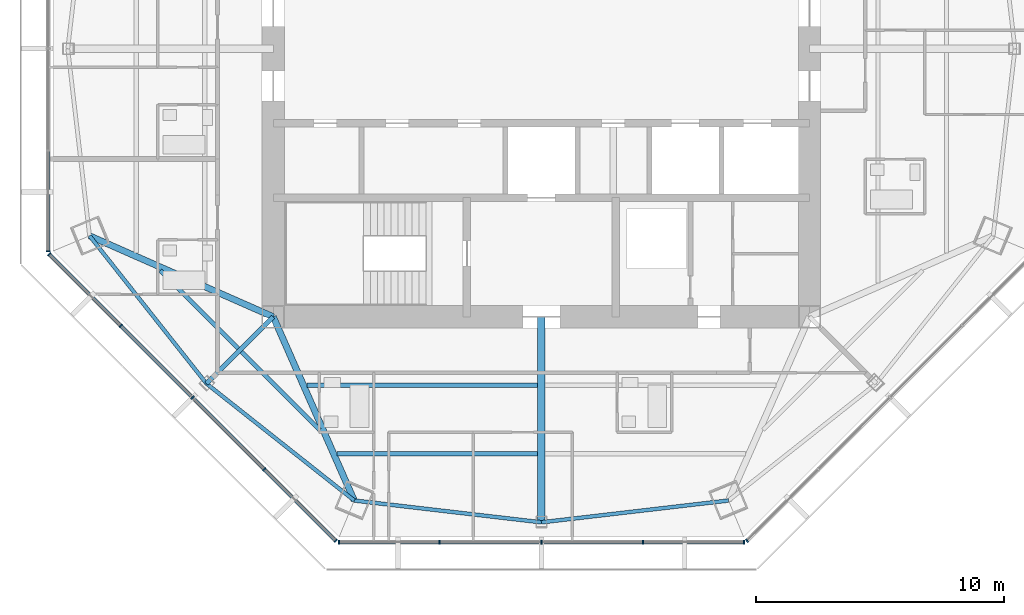
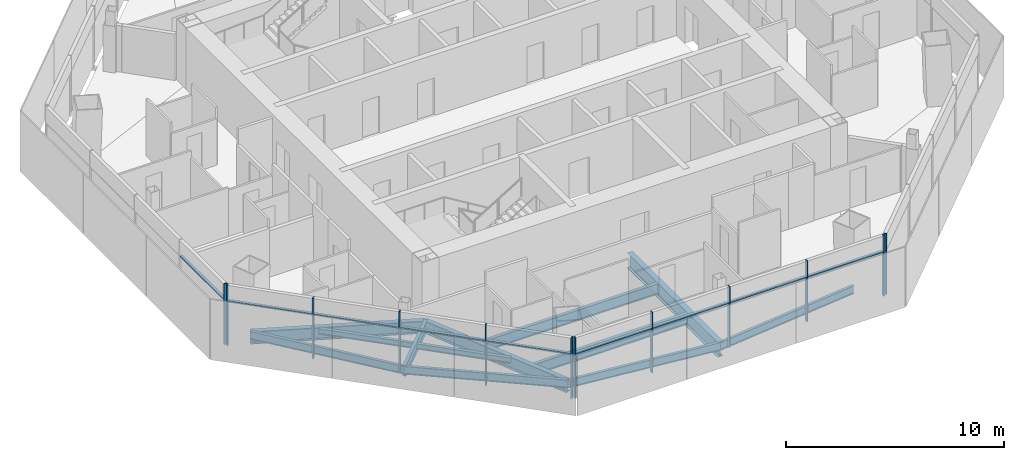
# One storey, part 2 of 14: 21 members, 12 beams, 4 elements without a shape of their own.
"""IFC4 building model written with IfcOpenShell, lengths in metres."""

import ifcopenshell
import ifcopenshell.guid

model = None  # the IFC model being written
_history = None  # IfcOwnerHistory: only IFC2X3 demands one
_inside = {}  # id of a spatial element -> (the spatial element, [elements in it])
_under = {}  # id of a project, library or spatial element -> (it, [spatial elements below it])
_declared = {}  # id of a project -> (the project, [libraries it declares])
_typed = {}  # id of a type object -> (the type object, [elements of that type])
_made_of = {}  # id of a material, layer set ... -> (it, [elements and type objects made of it])


def new_model(schema):
    """Start an empty IFC model of exactly this schema.

    Asked for "IFC4X3", IfcOpenShell would pick the latest addendum, in which some entities
    have other attributes; the version numbers below select the first issue.
    IFC2X3 requires an IfcOwnerHistory on every rooted entity: one is made here for all.
    """
    global model, _history
    if schema == "IFC4X3":
        model = ifcopenshell.file(schema_version=(4, 3, 0, 0))
    else:
        model = ifcopenshell.file(schema=schema)
    _inside.clear()
    _under.clear()
    _declared.clear()
    _typed.clear()
    _made_of.clear()
    _history = None
    if model.schema == "IFC2X3":
        org = make("IfcOrganization", Name="unknown")
        user = make(
            "IfcPersonAndOrganization",
            ThePerson=make("IfcPerson", FamilyName="unknown"),
            TheOrganization=org,
        )
        app = make(
            "IfcApplication",
            ApplicationDeveloper=org,
            Version="unknown",
            ApplicationFullName="unknown",
            ApplicationIdentifier="unknown",
        )
        _history = make(
            "IfcOwnerHistory",
            OwningUser=user,
            OwningApplication=app,
            ChangeAction="ADDED",
            CreationDate=0,
        )
    return model


def make(cls, **values):
    """One entity of the class cls with the attributes given. An attribute that is None is left unset."""
    return model.create_entity(
        cls, **{name: value for name, value in values.items() if value is not None}
    )


def rooted(cls, **values):
    """An entity with a GlobalId (a new one), such as an element, a storey or a relation."""
    return make(cls, GlobalId=ifcopenshell.guid.new(), OwnerHistory=_history, **values)


def si_unit(unit_type, name, prefix=None):
    """IfcSIUnit, for example si_unit("LENGTHUNIT", "METRE", prefix="MILLI")."""
    return make("IfcSIUnit", UnitType=unit_type, Prefix=prefix, Name=name)


def assignment(units):
    """IfcUnitAssignment: the units of a project."""
    return None if units is None else make("IfcUnitAssignment", Units=units)


def point(xyz):
    """IfcCartesianPoint."""
    return None if xyz is None else make("IfcCartesianPoint", Coordinates=xyz)


def direction(xyz):
    """IfcDirection."""
    return None if xyz is None else make("IfcDirection", DirectionRatios=xyz)


def frame(location, z_axis=None, x_axis=None):
    """IfcAxis2Placement3D, a coordinate frame: its origin and axes. An axis left out is left unset."""
    return make(
        "IfcAxis2Placement3D",
        Location=point(location),
        Axis=direction(z_axis),
        RefDirection=direction(x_axis),
    )


def frame_2d(location, x_axis=None):
    """IfcAxis2Placement2D, a coordinate frame in the plane: its origin and x axis."""
    return make(
        "IfcAxis2Placement2D", Location=point(location), RefDirection=direction(x_axis)
    )


def origin():
    """The frame at (0, 0, 0) with its axes left unset."""
    return frame((0.0, 0.0, 0.0))


def origin_2d():
    """The frame at (0, 0) in the plane with its x axis left unset."""
    return frame_2d((0.0, 0.0))


def place(relative_to, where):
    """IfcLocalPlacement: puts the frame where relative to a parent placement (None: the world)."""
    return make(
        "IfcLocalPlacement", PlacementRelTo=relative_to, RelativePlacement=where
    )


def context(
    kind, dimensions, precision=None, world=None, true_north=None, identifier=None
):
    """IfcGeometricRepresentationContext, for example the 3D "Model" context."""
    return make(
        "IfcGeometricRepresentationContext",
        ContextIdentifier=identifier,
        ContextType=kind,
        CoordinateSpaceDimension=dimensions,
        Precision=precision,
        WorldCoordinateSystem=world,
        TrueNorth=true_north,
    )


def subcontext(parent, identifier, kind, view, scale=None):
    """IfcGeometricRepresentationSubContext, for example "Body" below "Model"."""
    return make(
        "IfcGeometricRepresentationSubContext",
        ContextIdentifier=identifier,
        ContextType=kind,
        ParentContext=parent,
        TargetScale=scale,
        TargetView=view,
    )


def project(units=None, contexts=None):
    """IfcProject with its units and contexts."""
    return rooted(
        "IfcProject",
        Name="project",
        RepresentationContexts=contexts,
        UnitsInContext=assignment(units),
    )


def spatial(cls, under=None, at=None, **own):
    """A site, building, storey or space (cls), placed at a placement, below another one or the project."""
    s = rooted(cls, ObjectPlacement=at, **own)
    if under is not None:
        _under.setdefault(under.id(), (under, []))[1].append(s)
    return s


def profile(cls, at=None, kind="AREA", **sizes):
    """A parametric profile (cls). Its sizes go by their IFC names, for example OverallWidth=200.0."""
    return make(cls, ProfileType=kind, Position=at, **sizes)


def rectangle(**sizes):
    """IfcRectangleProfileDef."""
    return profile("IfcRectangleProfileDef", **sizes)


def i_section(**sizes):
    """IfcIShapeProfileDef."""
    return profile("IfcIShapeProfileDef", **sizes)


def extrude(swept, where, along, depth):
    """IfcExtrudedAreaSolid: the profile swept, set in the frame where, extruded along a direction by depth."""
    return make(
        "IfcExtrudedAreaSolid",
        SweptArea=swept,
        Position=where,
        ExtrudedDirection=direction(along),
        Depth=depth,
    )


def shape(context_of_items, identifier, shape_type, items):
    """IfcShapeRepresentation: the items that make up one representation, for example the "Body"."""
    return make(
        "IfcShapeRepresentation",
        ContextOfItems=context_of_items,
        RepresentationIdentifier=identifier,
        RepresentationType=shape_type,
        Items=items,
    )


def source(mapping_origin, context_of_items, identifier, shape_type, items):
    """IfcRepresentationMap: a shape defined once, which mapped items show again and again."""
    return make(
        "IfcRepresentationMap",
        MappingOrigin=mapping_origin,
        MappedRepresentation=shape(context_of_items, identifier, shape_type, items),
    )


def transform(
    local_origin,
    x_axis=None,
    y_axis=None,
    z_axis=None,
    scale=None,
    scale2=None,
    scale3=None,
    uniform=True,
):
    """IfcCartesianTransformationOperator3D, or its non-uniform kind. x_axis, y_axis, z_axis: its Axis1, 2, 3."""
    if uniform:
        return make(
            "IfcCartesianTransformationOperator3D",
            Axis1=direction(x_axis),
            Axis2=direction(y_axis),
            LocalOrigin=point(local_origin),
            Scale=scale,
            Axis3=direction(z_axis),
        )
    return make(
        "IfcCartesianTransformationOperator3DnonUniform",
        Axis1=direction(x_axis),
        Axis2=direction(y_axis),
        LocalOrigin=point(local_origin),
        Scale=scale,
        Axis3=direction(z_axis),
        Scale2=scale2,
        Scale3=scale3,
    )


def mapped(mapping_source, mapping_target):
    """IfcMappedItem: shows the shape of a source again, moved by a transform."""
    return make(
        "IfcMappedItem", MappingSource=mapping_source, MappingTarget=mapping_target
    )


def material(Name=None, Category=None):
    """IfcMaterial."""
    return make("IfcMaterial", Name=Name, Category=Category)


def material_profile(
    of_material, cross_section, Name=None, Category=None, Priority=None
):
    """IfcMaterialProfile: a cross section and its material."""
    return make(
        "IfcMaterialProfile",
        Name=Name,
        Material=of_material,
        Profile=cross_section,
        Priority=Priority,
        Category=Category,
    )


def profile_set(profiles, Name=None, composite=None):
    """IfcMaterialProfileSet."""
    return make(
        "IfcMaterialProfileSet",
        Name=Name,
        MaterialProfiles=profiles,
        CompositeProfile=composite,
    )


def made_of(thing, what):
    """Note that an element or type object is made of a material, layer set ...; save() writes the relation."""
    if what is not None:
        _made_of.setdefault(what.id(), (what, []))[1].append(thing)
    return thing


def type_object(cls, material=None, **own):
    """A type object (cls), such as IfcWallType, which elements share."""
    return made_of(rooted(cls, **own), material)


def type_shapes(of_type, sources):
    """Give a type object the sources (RepresentationMaps) that its elements show as mapped items."""
    of_type.RepresentationMaps = sources


def element(
    cls,
    number,
    at=None,
    inside=None,
    cuts=None,
    type_object=None,
    material=None,
    context=None,
    identifier="Body",
    shape_type=None,
    held_by="IfcProductDefinitionShape",
    body=None,
    shapes=None,
    **own,
):
    """One element of the class cls, such as IfcWall. Its Tag is "e" and its number.

    at: its placement. inside: the storey or other place that contains it. cuts: it is an
    opening in that element (IfcRelVoidsElement). A single representation is given by context,
    identifier, shape_type and body (its items); several are given by shapes. held_by: the class
    of the entity that holds the representations. save() writes the other relations.
    """
    e = rooted(cls, Tag="e%d" % number, ObjectPlacement=at, **own)
    if body is not None:
        shapes = [shape(context, identifier, shape_type, body)]
    if shapes is not None:
        e.Representation = make(held_by, Representations=shapes)
    if inside is not None:
        _inside.setdefault(inside.id(), (inside, []))[1].append(e)
    if cuts is not None:
        rooted(
            "IfcRelVoidsElement", RelatingBuildingElement=cuts, RelatedOpeningElement=e
        )
    if type_object is not None:
        _typed.setdefault(type_object.id(), (type_object, []))[1].append(e)
    return made_of(e, material)


def aggregate(whole, parts):
    """IfcRelAggregates: a whole, such as a stair, and the parts it consists of."""
    return rooted("IfcRelAggregates", RelatingObject=whole, RelatedObjects=parts)


def save(model, path):
    """Write the relations noted so far, then the file.

    IfcRelAggregates (storeys below a building ...), IfcRelContainedInSpatialStructure (elements
    in a storey), IfcRelDefinesByType, IfcRelAssociatesMaterial and IfcRelDeclares: one each for
    every whole, place, type object, material and project.
    """
    for whole, parts in _under.values():
        aggregate(whole, parts)
    for where, things in _inside.values():
        rooted(
            "IfcRelContainedInSpatialStructure",
            RelatedElements=things,
            RelatingStructure=where,
        )
    for kind, things in _typed.values():
        rooted("IfcRelDefinesByType", RelatedObjects=things, RelatingType=kind)
    for what, things in _made_of.values():
        rooted("IfcRelAssociatesMaterial", RelatedObjects=things, RelatingMaterial=what)
    for by, libraries in _declared.values():
        rooted("IfcRelDeclares", RelatingContext=by, RelatedDefinitions=libraries)
    model.write(path)


model = new_model("IFC4")

# Units and contexts
model_context = context("Model", 3, precision=1e-05, world=origin(), true_north=direction((0.0, 1.0)))
body_context = subcontext(model_context, "Body", "Model", "MODEL_VIEW")
ifc_project = project(units=[si_unit("LENGTHUNIT", "METRE"), si_unit("AREAUNIT", "SQUARE_METRE"), si_unit("VOLUMEUNIT", "CUBIC_METRE"), si_unit("PLANEANGLEUNIT", "RADIAN"), si_unit("MASSUNIT", "GRAM", prefix="KILO")], contexts=[model_context])

# Site, building, storey
site_placement = place(None, origin())
site = spatial("IfcSite", under=ifc_project, at=site_placement, CompositionType="ELEMENT")
building_placement = place(site_placement, origin())
building = spatial("IfcBuilding", under=site, at=building_placement, Name="Mashrafa Tower", CompositionType="ELEMENT")
storey_placement = place(building_placement, frame((0.0, 0.0, 287.800048828125)))
storey = spatial("IfcBuildingStorey", under=building, at=storey_placement, Name="L70", CompositionType="ELEMENT", Elevation=287.800048828125)

# Beams
ifc_material_1 = material(Name="Steel ASTM A992", Category="steel")
ifc_material_profile_1 = material_profile(ifc_material_1, i_section(OverallWidth=0.164794921875, OverallDepth=0.309814453125, WebThickness=0.005859375, FlangeThickness=0.009765625, FilletRadius=0.007568359375, at=origin_2d()), Name="W12X26")
ifc_profile_set_1 = profile_set([ifc_material_profile_1], Name="Steel ASTM A992")
beam_type_1 = type_object("IfcBeamType", Name="Beam W12X26", PredefinedType="BEAM", material=ifc_profile_set_1)
for number, where, z_axis, x_axis, name in (
    (1, (-12.20849609375, -12.08251953125, -0.35498046875), (-0.707079391464, 0.707134169849, 0.0), (-0.707134169849, -0.707079391464, 0.0), "Floor beam L70 006"),
    (2, (-8.930908203125, -15.35986328125, -0.35498046875), (-0.707134169849, 0.707079391464, 0.0), (-0.707079391464, -0.707134169849, 0.0), "Floor beam L70 009"),
):
    element("IfcBeam", number, at=place(storey_placement, frame(where, z_axis=z_axis, x_axis=x_axis)), inside=storey, type_object=beam_type_1, Name=name, PredefinedType="BEAM", context=body_context, shape_type="SweptSolid", body=[
        extrude(i_section(OverallWidth=0.164794921875, OverallDepth=0.309814453125, WebThickness=0.005859375, FlangeThickness=0.009765625, FilletRadius=0.007568359375, at=origin_2d()), origin(), (0.0, 0.0, 1.0), 4.456787109375),
    ])
ifc_material_2 = material(Name="Steel ASTM A992", Category="steel")
ifc_material_profile_2 = material_profile(ifc_material_2, i_section(OverallWidth=0.15234375, OverallDepth=0.449462890625, WebThickness=0.007568359375, FlangeThickness=0.0107421875, FilletRadius=0.01025390625, at=origin_2d()), Name="W18X35")
ifc_profile_set_2 = profile_set([ifc_material_profile_2], Name="Steel ASTM A992")
beam_type_2 = type_object("IfcBeamType", Name="Beam W18X35", PredefinedType="BEAM", material=ifc_profile_set_2)
for number, where, z_axis, x_axis, name in (
    (3, (-18.20068359375, -7.5390625, -0.4248046875), (0.620559574276, -0.784159304462, 0.0), (0.784159304462, 0.620559574276, 0.0), "Spandrel beam L70 042"),
    (4, (-13.49072265625, -13.49072265625, -0.4248046875), (0.784159304462, -0.620559574276, 0.0), (0.620559574276, 0.784159304462, 0.0), "Spandrel beam L70 044"),
):
    element("IfcBeam", number, at=place(storey_placement, frame(where, z_axis=z_axis, x_axis=x_axis)), inside=storey, type_object=beam_type_2, Name=name, PredefinedType="BEAM", context=body_context, shape_type="SweptSolid", body=[
        extrude(i_section(OverallWidth=0.15234375, OverallDepth=0.449462890625, WebThickness=0.007568359375, FlangeThickness=0.0107421875, FilletRadius=0.01025390625, at=origin_2d()), origin(), (0.0, 0.0, 1.0), 7.58984375),
    ])
for number, where, z_axis, x_axis, name in (
    (5, (-7.5390625, -18.20068359375, -0.4248046875), (0.99328410251, -0.115700871656, 0.0), (0.115700871656, 0.99328410251, 0.0), "Spandrel beam L70 046"),
    (6, (0.0, -19.078857421875, -0.4248046875), (0.99328410251, 0.115700871656, 0.0), (-0.115700871656, 0.99328410251, 0.0), "Spandrel beam L70 048"),
):
    element("IfcBeam", number, at=place(storey_placement, frame(where, z_axis=z_axis, x_axis=x_axis)), inside=storey, type_object=beam_type_2, Name=name, PredefinedType="BEAM", context=body_context, shape_type="SweptSolid", body=[
        extrude(i_section(OverallWidth=0.15234375, OverallDepth=0.449462890625, WebThickness=0.007568359375, FlangeThickness=0.0107421875, FilletRadius=0.01025390625, at=origin_2d()), origin(), (0.0, 0.0, 1.0), 7.590087890625),
    ])
ifc_material_3 = material(Name="Steel ASTM A992", Category="steel")
ifc_material_profile_3 = material_profile(ifc_material_3, i_section(OverallWidth=0.177978515625, OverallDepth=0.599365234375, WebThickness=0.010009765625, FlangeThickness=0.012939453125, FilletRadius=0.012939453125, at=origin_2d()), Name="W24X55")
ifc_profile_set_3 = profile_set([ifc_material_profile_3], Name="Steel ASTM A992")
beam_type_3 = type_object("IfcBeamType", Name="Beam W24X55", PredefinedType="BEAM", material=ifc_profile_set_3)
beam_1_placement = place(storey_placement, frame((-0.14599609375, -16.3193359375, -0.499755859375), z_axis=(-1.0, 0.0, 0.0), x_axis=(0.0, -1.0, 0.0)))
element("IfcBeam", 7, at=beam_1_placement, inside=storey, type_object=beam_type_3, Name="Floor beam L70 011", PredefinedType="BEAM", context=body_context, shape_type="SweptSolid", body=[
    extrude(i_section(OverallWidth=0.177978515625, OverallDepth=0.599365234375, WebThickness=0.010009765625, FlangeThickness=0.012939453125, FilletRadius=0.012939453125, at=origin_2d()), origin(), (0.0, 0.0, 1.0), 8.081787109375),
])
beam_2_placement = place(storey_placement, frame((-0.14599609375, -13.5595703125, -0.499755859375), z_axis=(-1.0, 0.0, 0.0), x_axis=(0.0, -1.0, 0.0)))
element("IfcBeam", 8, at=beam_2_placement, inside=storey, type_object=beam_type_3, Name="Floor beam L70 012", PredefinedType="BEAM", context=body_context, shape_type="SweptSolid", body=[
    extrude(i_section(OverallWidth=0.177978515625, OverallDepth=0.599365234375, WebThickness=0.010009765625, FlangeThickness=0.012939453125, FilletRadius=0.012939453125, at=origin_2d()), origin(), (0.0, 0.0, 1.0), 9.2978515625),
])
beam_3_placement = place(storey_placement, frame((-10.800048828125, -10.800048828125, -0.499755859375), z_axis=(-0.707106781187, -0.707106781187, 0.0), x_axis=(0.707106781187, -0.707106781187, 0.0)))
element("IfcBeam", 9, at=beam_3_placement, inside=storey, type_object=beam_type_3, Name="Radial girder L70 026", PredefinedType="BEAM", context=body_context, shape_type="SweptSolid", body=[
    extrude(i_section(OverallWidth=0.177978515625, OverallDepth=0.599365234375, WebThickness=0.010009765625, FlangeThickness=0.012939453125, FilletRadius=0.012939453125, at=origin_2d()), origin(), (0.0, 0.0, 1.0), 3.80517578125),
])
ifc_material_4 = material(Name="Steel ASTM A992", Category="steel")
ifc_material_profile_4 = material_profile(ifc_material_4, i_section(OverallWidth=0.256591796875, OverallDepth=0.693359375, WebThickness=0.014404296875, FlangeThickness=0.023681640625, FilletRadius=0.01513671875, at=origin_2d()), Name="W27X114")
ifc_profile_set_4 = profile_set([ifc_material_profile_4], Name="Steel ASTM A992")
beam_type_4 = type_object("IfcBeamType", Name="Beam W27X114", PredefinedType="BEAM", material=ifc_profile_set_4)
for number, where, z_axis, x_axis, name in (
    (10, (-10.800048828125, -10.800048828125, -0.546875), (-0.915100346517, 0.403226184423, 0.0), (-0.403226184423, -0.915100346517, 0.0), "Radial girder L70 025"),
    (11, (-10.800048828125, -10.800048828125, -0.546875), (0.403226184423, -0.915100346517, 0.0), (0.915100346517, 0.403226184423, 0.0), "Radial girder L70 027"),
):
    element("IfcBeam", number, at=place(storey_placement, frame(where, z_axis=z_axis, x_axis=x_axis)), inside=storey, type_object=beam_type_4, Name=name, PredefinedType="BEAM", context=body_context, shape_type="SweptSolid", body=[
        extrude(i_section(OverallWidth=0.256591796875, OverallDepth=0.693359375, WebThickness=0.014404296875, FlangeThickness=0.023681640625, FilletRadius=0.01513671875, at=origin_2d()), origin(), (0.0, 0.0, 1.0), 8.087158203125),
    ])
ifc_material_5 = material(Name="Steel ASTM A992", Category="steel")
ifc_material_profile_5 = material_profile(ifc_material_5, i_section(OverallWidth=0.2919921875, OverallDepth=0.8408203125, WebThickness=0.0146484375, FlangeThickness=0.021728515625, FilletRadius=0.017333984375, at=origin_2d()), Name="W33X130")
ifc_profile_set_5 = profile_set([ifc_material_profile_5], Name="Steel ASTM A992")
beam_type_5 = type_object("IfcBeamType", Name="Beam W33X130", PredefinedType="BEAM", material=ifc_profile_set_5)
beam_4_placement = place(storey_placement, frame((0.0, -10.800048828125, -0.620361328125), z_axis=(0.0, -1.0, 0.0), x_axis=(1.0, 0.0, 0.0)))
element("IfcBeam", 12, at=beam_4_placement, inside=storey, type_object=beam_type_5, Name="Radial girder L70 032", PredefinedType="BEAM", context=body_context, shape_type="SweptSolid", body=[
    extrude(i_section(OverallWidth=0.2919921875, OverallDepth=0.8408203125, WebThickness=0.0146484375, FlangeThickness=0.021728515625, FilletRadius=0.017333984375, at=origin_2d()), origin(), (0.0, 0.0, 1.0), 8.27880859375),
])

# Curtain wall, member
ifc_material_6 = material(Name="Unitised aluminium curtain wall", Category="aluminium")
curtain_wall_type = type_object("IfcCurtainWallType", Name="Apartment curtain wall, zone 4 CW-D 160 deep", PredefinedType="NOTDEFINED", material=ifc_material_6)
curtain_wall_1_placement = place(storey_placement, origin())
curtain_wall_1 = element("IfcCurtainWall", 13, at=curtain_wall_1_placement, inside=storey, type_object=curtain_wall_type, Name="Apartment curtain wall, zone 4 L70 west", PredefinedType="NOTDEFINED")
ifc_material_7 = material(Name="Extruded aluminium mullion", Category="aluminium")
ifc_material_profile_6 = material_profile(ifc_material_7, rectangle(XDim=0.159912109375, YDim=0.06005859375, at=origin_2d()), Name="Mullion 60x160")
ifc_profile_set_6 = profile_set([ifc_material_profile_6], Name="Extruded aluminium mullion")
member_type_1 = type_object("IfcMemberType", Name="Mullion CW-D 60 x 160", PredefinedType="MULLION", material=ifc_profile_set_6)
shared_shape_1 = source(origin(), body_context, "Body", "SweptSolid", [
    extrude(rectangle(XDim=0.159912109375, YDim=0.06005859375, at=origin_2d()), origin(), (0.0, 0.0, 1.0), 3.39990234375),
])
type_shapes(member_type_1, [shared_shape_1])
member_1_placement = place(storey_placement, frame((-19.873291015625, -8.15869140625, 0.0), z_axis=(0.0, 0.0, 1.0), x_axis=(1.0, 0.0, 0.0)))
member_1 = element("IfcMember", 14, at=member_1_placement, type_object=member_type_1, Name="CW-D mullion 5", PredefinedType="MULLION", context=body_context, shape_type="MappedRepresentation", body=[
    mapped(shared_shape_1, transform((0.0, 0.0, 0.0))),
])

# Curtain wall, members
curtain_wall_2_placement = place(storey_placement, origin())
curtain_wall_2 = element("IfcCurtainWall", 15, at=curtain_wall_2_placement, inside=storey, type_object=curtain_wall_type, Name="Apartment curtain wall, zone 4 L70 south-west", PredefinedType="NOTDEFINED")
member_2_placement = place(storey_placement, frame((-19.821533203125, -8.283447265625, 0.0), z_axis=(0.0, 0.0, 1.0), x_axis=(0.707106781187, 0.707106781187, 0.0)))
member_2 = element("IfcMember", 16, at=member_2_placement, type_object=member_type_1, Name="CW-D mullion 1", PredefinedType="MULLION", context=body_context, shape_type="MappedRepresentation", body=[
    mapped(shared_shape_1, transform((0.0, 0.0, 0.0))),
])
member_3_placement = place(storey_placement, frame((-16.94775390625, -11.157470703125, 0.0), z_axis=(0.0, 0.0, 1.0), x_axis=(0.707106781187, 0.707106781187, 0.0)))
member_3 = element("IfcMember", 17, at=member_3_placement, type_object=member_type_1, Name="CW-D mullion 2", PredefinedType="MULLION", context=body_context, shape_type="MappedRepresentation", body=[
    mapped(shared_shape_1, transform((0.0, 0.0, 0.0))),
])
member_4_placement = place(storey_placement, frame((-14.052490234375, -14.052490234375, 0.0), z_axis=(0.0, 0.0, 1.0), x_axis=(0.707106781187, 0.707106781187, 0.0)))
member_4 = element("IfcMember", 18, at=member_4_placement, type_object=member_type_1, Name="CW-D mullion 3", PredefinedType="MULLION", context=body_context, shape_type="MappedRepresentation", body=[
    mapped(shared_shape_1, transform((0.0, 0.0, 0.0))),
])
member_5_placement = place(storey_placement, frame((-11.157470703125, -16.94775390625, 0.0), z_axis=(0.0, 0.0, 1.0), x_axis=(0.707106781187, 0.707106781187, 0.0)))
member_5 = element("IfcMember", 19, at=member_5_placement, type_object=member_type_1, Name="CW-D mullion 4", PredefinedType="MULLION", context=body_context, shape_type="MappedRepresentation", body=[
    mapped(shared_shape_1, transform((0.0, 0.0, 0.0))),
])
member_6_placement = place(storey_placement, frame((-8.283447265625, -19.821533203125, 0.0), z_axis=(0.0, 0.0, 1.0), x_axis=(0.707106781187, 0.707106781187, 0.0)))
member_6 = element("IfcMember", 20, at=member_6_placement, type_object=member_type_1, Name="CW-D mullion 5", PredefinedType="MULLION", context=body_context, shape_type="MappedRepresentation", body=[
    mapped(shared_shape_1, transform((0.0, 0.0, 0.0))),
])

curtain_wall_3_placement = place(storey_placement, origin())
curtain_wall_3 = element("IfcCurtainWall", 21, at=curtain_wall_3_placement, inside=storey, type_object=curtain_wall_type, Name="Apartment curtain wall, zone 4 L70 south", PredefinedType="NOTDEFINED")
member_7_placement = place(storey_placement, frame((-8.15869140625, -19.873291015625, 0.0), z_axis=(0.0, 0.0, 1.0), x_axis=(0.0, 1.0, 0.0)))
member_7 = element("IfcMember", 22, at=member_7_placement, type_object=member_type_1, Name="CW-D mullion 1", PredefinedType="MULLION", context=body_context, shape_type="MappedRepresentation", body=[
    mapped(shared_shape_1, transform((0.0, 0.0, 0.0))),
])
member_8_placement = place(storey_placement, frame((-4.09423828125, -19.873291015625, 0.0), z_axis=(0.0, 0.0, 1.0), x_axis=(0.0, 1.0, 0.0)))
member_8 = element("IfcMember", 23, at=member_8_placement, type_object=member_type_1, Name="CW-D mullion 2", PredefinedType="MULLION", context=body_context, shape_type="MappedRepresentation", body=[
    mapped(shared_shape_1, transform((0.0, 0.0, 0.0))),
])
member_9_placement = place(storey_placement, frame((0.0, -19.873291015625, 0.0), z_axis=(0.0, 0.0, 1.0), x_axis=(0.0, 1.0, 0.0)))
member_9 = element("IfcMember", 24, at=member_9_placement, type_object=member_type_1, Name="CW-D mullion 3", PredefinedType="MULLION", context=body_context, shape_type="MappedRepresentation", body=[
    mapped(shared_shape_1, transform((0.0, 0.0, 0.0))),
])
member_10_placement = place(storey_placement, frame((4.09423828125, -19.873291015625, 0.0), z_axis=(0.0, 0.0, 1.0), x_axis=(0.0, 1.0, 0.0)))
member_10 = element("IfcMember", 25, at=member_10_placement, type_object=member_type_1, Name="CW-D mullion 4", PredefinedType="MULLION", context=body_context, shape_type="MappedRepresentation", body=[
    mapped(shared_shape_1, transform((0.0, 0.0, 0.0))),
])
member_11_placement = place(storey_placement, frame((8.15869140625, -19.873291015625, 0.0), z_axis=(0.0, 0.0, 1.0), x_axis=(0.0, 1.0, 0.0)))
member_11 = element("IfcMember", 26, at=member_11_placement, type_object=member_type_1, Name="CW-D mullion 5", PredefinedType="MULLION", context=body_context, shape_type="MappedRepresentation", body=[
    mapped(shared_shape_1, transform((0.0, 0.0, 0.0))),
])

# Curtain wall, member
curtain_wall_4_placement = place(storey_placement, origin())
curtain_wall_4 = element("IfcCurtainWall", 27, at=curtain_wall_4_placement, inside=storey, type_object=curtain_wall_type, Name="Apartment curtain wall, zone 4 L70 south-east", PredefinedType="NOTDEFINED")
member_12_placement = place(storey_placement, frame((8.283447265625, -19.821533203125, 0.0), z_axis=(0.0, 0.0, 1.0), x_axis=(-0.707106781187, 0.707106781187, 0.0)))
member_12 = element("IfcMember", 28, at=member_12_placement, type_object=member_type_1, Name="CW-D mullion 1", PredefinedType="MULLION", context=body_context, shape_type="MappedRepresentation", body=[
    mapped(shared_shape_1, transform((0.0, 0.0, 0.0))),
])
aggregate(curtain_wall_4, [member_12])

# Member
ifc_material_8 = material(Name="Extruded aluminium transom", Category="aluminium")
ifc_material_profile_7 = material_profile(ifc_material_8, rectangle(XDim=0.1279296875, YDim=0.074951171875, at=origin_2d()), Name="Transom 75x128")
ifc_profile_set_7 = profile_set([ifc_material_profile_7], Name="Extruded aluminium transom")
member_type_2 = type_object("IfcMemberType", Name="Transom CW-D 75 x 128", PredefinedType="MULLION", material=ifc_profile_set_7)
shared_shape_2 = source(origin(), body_context, "Body", "SweptSolid", [
    extrude(rectangle(XDim=0.1279296875, YDim=0.074951171875, at=origin_2d()), origin(), (0.0, 0.0, 1.0), 4.00439453125),
])
member_13_placement = place(storey_placement, frame((-19.873291015625, -4.124267578125, 2.5), z_axis=(0.0, -1.0, 0.0), x_axis=(1.0, 0.0, 0.0)))
member_13 = element("IfcMember", 29, at=member_13_placement, type_object=member_type_2, Name="CW-D transom 4", PredefinedType="MULLION", context=body_context, shape_type="MappedRepresentation", body=[
    mapped(shared_shape_2, transform((0.0, 0.0, 0.0))),
])

aggregate(curtain_wall_1, [member_1, member_13])

member_14_placement = place(storey_placement, frame((-19.80029296875, -8.3046875, 2.5), z_axis=(0.707106781187, -0.707106781187, 0.0), x_axis=(0.707106781187, 0.707106781187, 0.0)))
member_14 = element("IfcMember", 30, at=member_14_placement, type_object=member_type_2, Name="CW-D transom 1", PredefinedType="MULLION", context=body_context, shape_type="MappedRepresentation", body=[
    mapped(shared_shape_2, transform((0.0, 0.0, 0.0))),
])

member_15_placement = place(storey_placement, frame((-11.13623046875, -16.96875, 2.5), z_axis=(0.707106781187, -0.707106781187, 0.0), x_axis=(0.707106781187, 0.707106781187, 0.0)))
member_15 = element("IfcMember", 31, at=member_15_placement, type_object=member_type_2, Name="CW-D transom 4", PredefinedType="MULLION", context=body_context, shape_type="MappedRepresentation", body=[
    mapped(shared_shape_2, transform((0.0, 0.0, 0.0))),
])

member_16_placement = place(storey_placement, frame((-8.128662109375, -19.873291015625, 2.5), z_axis=(1.0, 0.0, 0.0), x_axis=(0.0, 1.0, 0.0)))
member_16 = element("IfcMember", 32, at=member_16_placement, type_object=member_type_2, Name="CW-D transom 1", PredefinedType="MULLION", context=body_context, shape_type="MappedRepresentation", body=[
    mapped(shared_shape_2, transform((0.0, 0.0, 0.0))),
])

member_17_placement = place(storey_placement, frame((4.124267578125, -19.873291015625, 2.5), z_axis=(1.0, 0.0, 0.0), x_axis=(0.0, 1.0, 0.0)))
member_17 = element("IfcMember", 33, at=member_17_placement, type_object=member_type_2, Name="CW-D transom 4", PredefinedType="MULLION", context=body_context, shape_type="MappedRepresentation", body=[
    mapped(shared_shape_2, transform((0.0, 0.0, 0.0))),
])

shared_shape_3 = source(origin(), body_context, "Body", "SweptSolid", [
    extrude(rectangle(XDim=0.1279296875, YDim=0.074951171875, at=origin_2d()), origin(), (0.0, 0.0, 1.0), 4.0341796875),
])
type_shapes(member_type_2, [shared_shape_2, shared_shape_3])
member_18_placement = place(storey_placement, frame((-16.926513671875, -11.1787109375, 2.5), z_axis=(0.707137038863, -0.707076522215, 0.0), x_axis=(0.707076522215, 0.707137038863, 0.0)))
member_18 = element("IfcMember", 34, at=member_18_placement, type_object=member_type_2, Name="CW-D transom 2", PredefinedType="MULLION", context=body_context, shape_type="MappedRepresentation", body=[
    mapped(shared_shape_3, transform((0.0, 0.0, 0.0))),
])

member_19_placement = place(storey_placement, frame((-14.03125, -14.07373046875, 2.5), z_axis=(0.707076522215, -0.707137038863, 0.0), x_axis=(0.707137038863, 0.707076522215, 0.0)))
member_19 = element("IfcMember", 35, at=member_19_placement, type_object=member_type_2, Name="CW-D transom 3", PredefinedType="MULLION", context=body_context, shape_type="MappedRepresentation", body=[
    mapped(shared_shape_3, transform((0.0, 0.0, 0.0))),
])

aggregate(curtain_wall_2, [member_2, member_3, member_4, member_5, member_6, member_14, member_18, member_19, member_15])

member_20_placement = place(storey_placement, frame((-4.064208984375, -19.873291015625, 2.5), z_axis=(1.0, 0.0, 0.0), x_axis=(0.0, 1.0, 0.0)))
member_20 = element("IfcMember", 36, at=member_20_placement, type_object=member_type_2, Name="CW-D transom 2", PredefinedType="MULLION", context=body_context, shape_type="MappedRepresentation", body=[
    mapped(shared_shape_3, transform((0.0, 0.0, 0.0))),
])

member_21_placement = place(storey_placement, frame((0.030029296875, -19.873291015625, 2.5), z_axis=(1.0, 0.0, 0.0), x_axis=(0.0, 1.0, 0.0)))
member_21 = element("IfcMember", 37, at=member_21_placement, type_object=member_type_2, Name="CW-D transom 3", PredefinedType="MULLION", context=body_context, shape_type="MappedRepresentation", body=[
    mapped(shared_shape_3, transform((0.0, 0.0, 0.0))),
])

aggregate(curtain_wall_3, [member_7, member_8, member_9, member_10, member_11, member_16, member_20, member_21, member_17])

save(model, "model.ifc")
